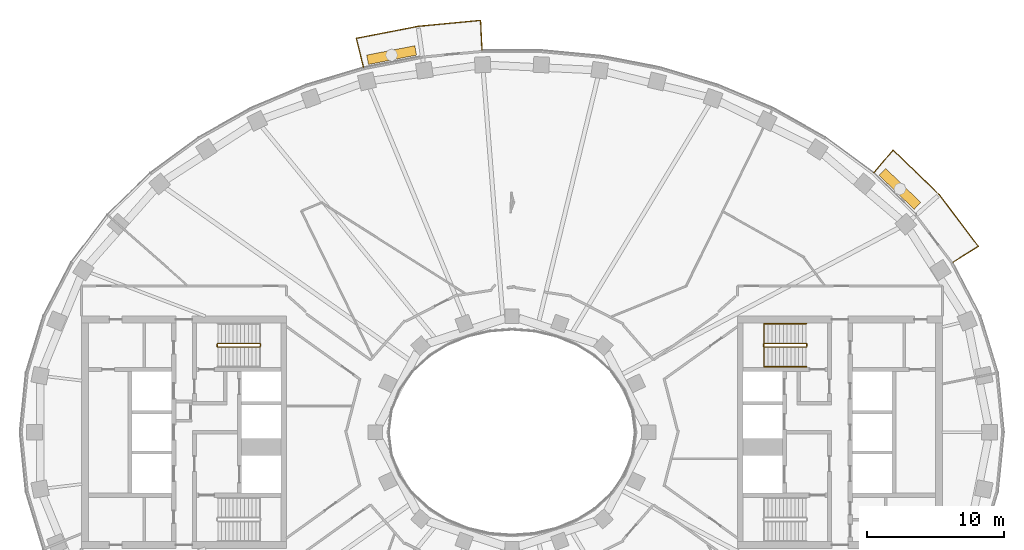
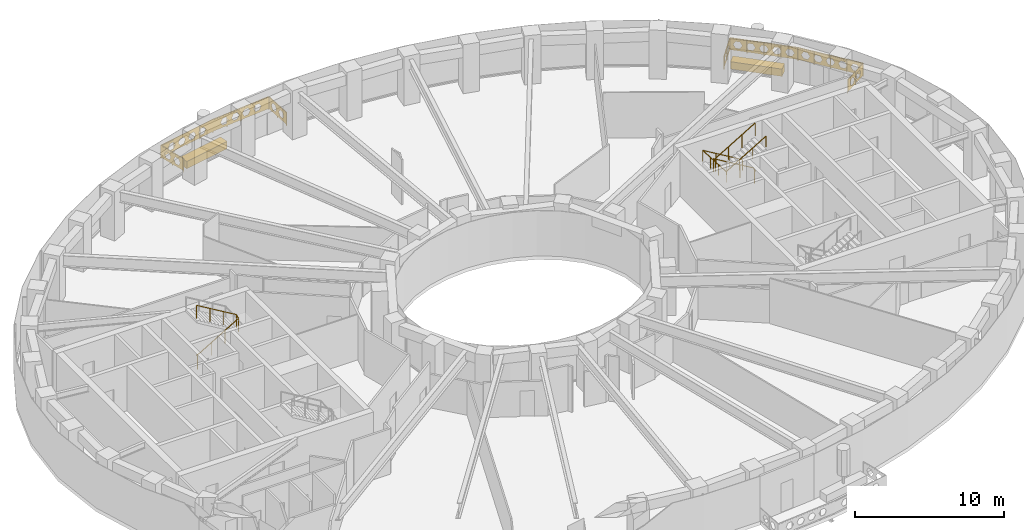
# One storey, part 15 of 16: 5 railings, 2 coverings.
"""IFC4 building model written with IfcOpenShell, lengths in metres."""

from ifc_helpers import new_model, si_unit, direction, frame, origin, origin_2d, place, context, subcontext, project, spatial, polyline, rectangle, outline, extrude, material, type_object, element, save


model = new_model("IFC4")

# Units and contexts
model_context = context("Model", 3, precision=1e-05, world=origin(), true_north=direction((0.0, 1.0)))
body_context = subcontext(model_context, "Body", "Model", "MODEL_VIEW")
ifc_project = project(units=[si_unit("LENGTHUNIT", "METRE"), si_unit("AREAUNIT", "SQUARE_METRE"), si_unit("VOLUMEUNIT", "CUBIC_METRE"), si_unit("PLANEANGLEUNIT", "RADIAN"), si_unit("MASSUNIT", "GRAM", prefix="KILO")], contexts=[model_context])

# Site, building, storey
site_placement = place(None, origin())
site = spatial("IfcSite", under=ifc_project, at=site_placement, CompositionType="ELEMENT")
building_placement = place(site_placement, origin())
building = spatial("IfcBuilding", under=site, at=building_placement, Name="Noorbagh Ring Tower", CompositionType="ELEMENT")
storey_placement = place(building_placement, frame((0.0, 0.0, 186.0)))
storey = spatial("IfcBuildingStorey", under=building, at=storey_placement, Name="L43", CompositionType="ELEMENT", Elevation=186.0)

# Railings
ifc_material_1 = material(Name="Stainless steel", Category="steel")
railing_type_1 = type_object("IfcRailingType", Name="CORE-STAIR-GUARD", PredefinedType="GUARDRAIL", material=ifc_material_1)
railing_1_placement = place(storey_placement, frame((-21.580078125, 6.300048828125, 0.0)))
element("IfcRailing", 1, at=railing_1_placement, inside=storey, type_object=railing_type_1, Name="L43 ST1 stair guard", PredefinedType="GUARDRAIL", context=body_context, shape_type="SweptSolid", body=[
    extrude(rectangle(XDim=0.048095703125, YDim=0.048095703125, at=origin_2d()), frame((0.0, 0.0, 1.076171875), z_axis=(0.0, 1.0, 0.0), x_axis=(-1.0, 0.0, 0.0)), (0.0, 0.0, 1.0), 0.14990234375),
    extrude(rectangle(XDim=0.048095703125, YDim=0.048095703125, at=origin_2d()), frame((0.0, 0.14990234375, 1.076171875), z_axis=(0.188775798145, -0.754182335027, 0.628945707965), x_axis=(0.970072785993, 0.242814311512, 0.0)), (0.0, 0.0, 1.0), 0.26513671875),
    extrude(rectangle(XDim=0.048095703125, YDim=0.048095703125, at=origin_2d()), frame((0.050048828125, -0.050048828125, 1.24267578125), z_axis=(0.859308565015, 0.0, 0.511457515432), x_axis=(0.0, 1.0, 0.0)), (0.0, 0.0, 1.0), 3.58447265625),
    extrude(rectangle(XDim=0.048095703125, YDim=0.048095703125, at=origin_2d()), frame((3.130126953125, -0.050048828125, 3.076171875), z_axis=(0.707106781187, 0.707106781187, 0.0), x_axis=(-0.707106781187, 0.707106781187, 0.0)), (0.0, 0.0, 1.0), 0.07080078125),
    extrude(rectangle(XDim=0.048095703125, YDim=0.048095703125, at=origin_2d()), frame((3.18017578125, 0.0, 3.076171875), z_axis=(0.0, 1.0, 0.0), x_axis=(-1.0, 0.0, 0.0)), (0.0, 0.0, 1.0), 0.14990234375),
    extrude(rectangle(XDim=0.048095703125, YDim=0.048095703125, at=origin_2d()), frame((3.18017578125, 0.14990234375, 3.076171875), z_axis=(-0.27628659633, 0.27628659633, 0.920506074601), x_axis=(-0.707106781187, -0.707106781187, 0.0)), (0.0, 0.0, 1.0), 0.18115234375),
    extrude(rectangle(XDim=0.048095703125, YDim=0.048095703125, at=origin_2d()), frame((3.130126953125, 0.199951171875, 3.24267578125), z_axis=(-0.859308565015, 0.0, 0.511457515432), x_axis=(0.0, -1.0, 0.0)), (0.0, 0.0, 1.0), 3.58447265625),
    extrude(rectangle(XDim=0.0419921875, YDim=0.0419921875, at=origin_2d()), origin(), (0.0, 0.0, 1.0), 1.052001953125),
    extrude(rectangle(XDim=0.0419921875, YDim=0.0419921875, at=origin_2d()), frame((1.07666015625, -0.050048828125, 0.77783203125)), (0.0, 0.0, 1.0), 1.052001953125),
    extrude(rectangle(XDim=0.0419921875, YDim=0.0419921875, at=origin_2d()), frame((2.103515625, -0.050048828125, 1.388916015625)), (0.0, 0.0, 1.0), 1.052001953125),
    extrude(rectangle(XDim=0.0419921875, YDim=0.0419921875, at=origin_2d()), frame((3.130126953125, -0.050048828125, 2.0)), (0.0, 0.0, 1.0), 1.052001953125),
    extrude(rectangle(XDim=0.0419921875, YDim=0.0419921875, at=origin_2d()), frame((3.130126953125, 0.199951171875, 2.166748046875)), (0.0, 0.0, 1.0), 1.052001953125),
    extrude(rectangle(XDim=0.0419921875, YDim=0.0419921875, at=origin_2d()), frame((2.103515625, 0.199951171875, 2.77783203125)), (0.0, 0.0, 1.0), 1.052001953125),
    extrude(rectangle(XDim=0.0419921875, YDim=0.0419921875, at=origin_2d()), frame((1.07666015625, 0.199951171875, 3.388916015625)), (0.0, 0.0, 1.0), 1.052001953125),
    extrude(rectangle(XDim=0.0419921875, YDim=0.0419921875, at=origin_2d()), frame((0.050048828125, 0.199951171875, 4.0)), (0.0, 0.0, 1.0), 1.052001953125),
])
railing_2_placement = place(storey_placement, frame((21.580078125, 6.449951171875, 0.0)))
element("IfcRailing", 2, at=railing_2_placement, inside=storey, type_object=railing_type_1, Name="L43 ST3 stair guard", PredefinedType="GUARDRAIL", context=body_context, shape_type="SweptSolid", body=[
    extrude(rectangle(XDim=0.048095703125, YDim=0.048095703125, at=origin_2d()), frame((0.0, 0.0, 1.076171875), z_axis=(0.0, -1.0, 0.0), x_axis=(1.0, 0.0, 0.0)), (0.0, 0.0, 1.0), 0.14990234375),
    extrude(rectangle(XDim=0.048095703125, YDim=0.048095703125, at=origin_2d()), frame((0.0, -0.14990234375, 1.076171875), z_axis=(-0.188775798145, 0.754182335027, 0.628945707965), x_axis=(-0.970072785993, -0.242814311512, 0.0)), (0.0, 0.0, 1.0), 0.26513671875),
    extrude(rectangle(XDim=0.048095703125, YDim=0.048095703125, at=origin_2d()), frame((-0.050048828125, 0.050048828125, 1.24267578125), z_axis=(-0.859308565015, 0.0, 0.511457515432), x_axis=(0.0, -1.0, 0.0)), (0.0, 0.0, 1.0), 3.58447265625),
    extrude(rectangle(XDim=0.048095703125, YDim=0.048095703125, at=origin_2d()), frame((-3.130126953125, 0.050048828125, 3.076171875), z_axis=(-0.707106781187, -0.707106781187, 0.0), x_axis=(0.707106781187, -0.707106781187, 0.0)), (0.0, 0.0, 1.0), 0.07080078125),
    extrude(rectangle(XDim=0.048095703125, YDim=0.048095703125, at=origin_2d()), frame((-3.18017578125, 0.0, 3.076171875), z_axis=(0.0, -1.0, 0.0), x_axis=(1.0, 0.0, 0.0)), (0.0, 0.0, 1.0), 0.14990234375),
    extrude(rectangle(XDim=0.048095703125, YDim=0.048095703125, at=origin_2d()), frame((-3.18017578125, -0.14990234375, 3.076171875), z_axis=(0.27628659633, -0.27628659633, 0.920506074601), x_axis=(0.707106781187, 0.707106781187, 0.0)), (0.0, 0.0, 1.0), 0.18115234375),
    extrude(rectangle(XDim=0.048095703125, YDim=0.048095703125, at=origin_2d()), frame((-3.130126953125, -0.199951171875, 3.24267578125), z_axis=(0.859308565015, 0.0, 0.511457515432), x_axis=(0.0, 1.0, 0.0)), (0.0, 0.0, 1.0), 3.58447265625),
    extrude(rectangle(XDim=0.0419921875, YDim=0.0419921875, at=origin_2d()), origin(), (0.0, 0.0, 1.0), 1.052001953125),
    extrude(rectangle(XDim=0.0419921875, YDim=0.0419921875, at=origin_2d()), frame((-1.07666015625, 0.050048828125, 0.77783203125)), (0.0, 0.0, 1.0), 1.052001953125),
    extrude(rectangle(XDim=0.0419921875, YDim=0.0419921875, at=origin_2d()), frame((-2.103515625, 0.050048828125, 1.388916015625)), (0.0, 0.0, 1.0), 1.052001953125),
    extrude(rectangle(XDim=0.0419921875, YDim=0.0419921875, at=origin_2d()), frame((-3.130126953125, 0.050048828125, 2.0)), (0.0, 0.0, 1.0), 1.052001953125),
    extrude(rectangle(XDim=0.0419921875, YDim=0.0419921875, at=origin_2d()), frame((-3.130126953125, -0.199951171875, 2.166748046875)), (0.0, 0.0, 1.0), 1.052001953125),
    extrude(rectangle(XDim=0.0419921875, YDim=0.0419921875, at=origin_2d()), frame((-2.103515625, -0.199951171875, 2.77783203125)), (0.0, 0.0, 1.0), 1.052001953125),
    extrude(rectangle(XDim=0.0419921875, YDim=0.0419921875, at=origin_2d()), frame((-1.07666015625, -0.199951171875, 3.388916015625)), (0.0, 0.0, 1.0), 1.052001953125),
    extrude(rectangle(XDim=0.0419921875, YDim=0.0419921875, at=origin_2d()), frame((-0.050048828125, -0.199951171875, 4.0)), (0.0, 0.0, 1.0), 1.052001953125),
])
ifc_material_2 = material(Name="Stainless steel", Category="steel")
railing_type_2 = type_object("IfcRailingType", Name="CORE-STAIR-HANDRAIL", PredefinedType="HANDRAIL", material=ifc_material_2)
railing_3_placement = place(storey_placement, frame((21.530029296875, 7.949951171875, 0.166748046875)))
element("IfcRailing", 3, at=railing_3_placement, inside=storey, type_object=railing_type_2, Name="L43 ST3 stair handrail", PredefinedType="HANDRAIL", context=body_context, shape_type="SweptSolid", body=[
    extrude(rectangle(XDim=0.048095703125, YDim=0.048095703125, at=origin_2d()), frame((0.0, 0.0, 0.8759765625), z_axis=(-0.859308565015, 0.0, 0.511457515432), x_axis=(0.0, -1.0, 0.0)), (0.0, 0.0, 1.0), 3.58447265625),
    extrude(rectangle(XDim=0.048095703125, YDim=0.048095703125, at=origin_2d()), frame((-3.080078125, 0.0, 2.708984375), z_axis=(0.0, -0.998601747152, 0.052863509014), x_axis=(1.0, 0.0, 0.0)), (0.0, 0.0, 1.0), 3.154296875),
    extrude(rectangle(XDim=0.048095703125, YDim=0.048095703125, at=origin_2d()), frame((-3.080078125, -3.14990234375, 2.8759765625), z_axis=(0.859308565015, 0.0, 0.511457515432), x_axis=(0.0, 1.0, 0.0)), (0.0, 0.0, 1.0), 3.58447265625),
    extrude(rectangle(XDim=0.0419921875, YDim=0.0419921875, at=origin_2d()), origin(), (0.0, 0.0, 1.0), 0.851806640625),
    extrude(rectangle(XDim=0.0419921875, YDim=0.0419921875, at=origin_2d()), frame((-1.026611328125, 0.0, 0.611083984375)), (0.0, 0.0, 1.0), 0.851806640625),
    extrude(rectangle(XDim=0.0419921875, YDim=0.0419921875, at=origin_2d()), frame((-2.053466796875, 0.0, 1.22216796875)), (0.0, 0.0, 1.0), 0.851806640625),
    extrude(rectangle(XDim=0.0419921875, YDim=0.0419921875, at=origin_2d()), frame((-3.080078125, 0.0, 1.833251953125)), (0.0, 0.0, 1.0), 0.851806640625),
    extrude(rectangle(XDim=0.0419921875, YDim=0.0419921875, at=origin_2d()), frame((-3.080078125, -1.050048828125, 1.888916015625)), (0.0, 0.0, 1.0), 0.851806640625),
    extrude(rectangle(XDim=0.0419921875, YDim=0.0419921875, at=origin_2d()), frame((-3.080078125, -2.099853515625, 1.9443359375)), (0.0, 0.0, 1.0), 0.851806640625),
    extrude(rectangle(XDim=0.0419921875, YDim=0.0419921875, at=origin_2d()), frame((-3.080078125, -3.14990234375, 2.0)), (0.0, 0.0, 1.0), 0.851806640625),
    extrude(rectangle(XDim=0.0419921875, YDim=0.0419921875, at=origin_2d()), frame((-2.053466796875, -3.14990234375, 2.611083984375)), (0.0, 0.0, 1.0), 0.851806640625),
    extrude(rectangle(XDim=0.0419921875, YDim=0.0419921875, at=origin_2d()), frame((-1.026611328125, -3.14990234375, 3.22216796875)), (0.0, 0.0, 1.0), 0.851806640625),
    extrude(rectangle(XDim=0.0419921875, YDim=0.0419921875, at=origin_2d()), frame((0.0, -3.14990234375, 3.833251953125)), (0.0, 0.0, 1.0), 0.851806640625),
])
ifc_material_3 = material(Name="Steel S275 black powder-coated", Category="steel")
railing_type_3 = type_object("IfcRailingType", Name="ENV-GUARD", PredefinedType="GUARDRAIL", material=ifc_material_3)
railing_4_placement = place(storey_placement, frame((32.255126953125, 12.434814453125, 0.0)))
element("IfcRailing", 4, at=railing_4_placement, inside=storey, type_object=railing_type_3, Name="Balcony guard BN01", PredefinedType="GUARDRAIL", context=body_context, shape_type="SweptSolid", body=[
    extrude(rectangle(XDim=0.048095703125, YDim=0.048095703125, at=origin_2d()), frame((0.0, 0.0, 1.076171875), z_axis=(0.844852397829, 0.534999463442, 0.0), x_axis=(-0.534999463442, 0.844852397829, 0.0)), (0.0, 0.0, 1.0), 2.207763671875),
    extrude(rectangle(XDim=0.048095703125, YDim=0.048095703125, at=origin_2d()), frame((1.865234375, 1.18115234375, 1.076171875), z_axis=(-0.604001613322, 0.796983093362, 0.0), x_axis=(-0.796983093362, -0.604001613322, 0.0)), (0.0, 0.0, 1.0), 4.7353515625),
    extrude(rectangle(XDim=0.048095703125, YDim=0.048095703125, at=origin_2d()), frame((-0.994873046875, 4.955078125, 1.076171875), z_axis=(-0.717212632946, 0.696854388766, 0.0), x_axis=(-0.696854388766, -0.717212632946, 0.0)), (0.0, 0.0, 1.0), 4.700927734375),
    extrude(rectangle(XDim=0.048095703125, YDim=0.048095703125, at=origin_2d()), frame((-4.366455078125, 8.23095703125, 1.076171875), z_axis=(-0.646413574048, -0.762987215677, 0.0), x_axis=(0.762987215677, -0.646413574048, 0.0)), (0.0, 0.0, 1.0), 2.205322265625),
    extrude(rectangle(XDim=0.0419921875, YDim=0.0419921875, at=origin_2d()), origin(), (0.0, 0.0, 1.0), 1.052001953125),
    extrude(rectangle(XDim=0.0419921875, YDim=0.0419921875, at=origin_2d()), frame((0.9326171875, 0.590576171875, 0.0)), (0.0, 0.0, 1.0), 1.052001953125),
    extrude(rectangle(XDim=0.0419921875, YDim=0.0419921875, at=origin_2d()), frame((1.865234375, 1.18115234375, 0.0)), (0.0, 0.0, 1.0), 1.052001953125),
    extrude(rectangle(XDim=0.0419921875, YDim=0.0419921875, at=origin_2d()), frame((1.150146484375, 2.12451171875, 0.0)), (0.0, 0.0, 1.0), 1.052001953125),
    extrude(rectangle(XDim=0.0419921875, YDim=0.0419921875, at=origin_2d()), frame((0.43505859375, 3.068115234375, 0.0)), (0.0, 0.0, 1.0), 1.052001953125),
    extrude(rectangle(XDim=0.0419921875, YDim=0.0419921875, at=origin_2d()), frame((-0.27978515625, 4.01171875, 0.0)), (0.0, 0.0, 1.0), 1.052001953125),
    extrude(rectangle(XDim=0.0419921875, YDim=0.0419921875, at=origin_2d()), frame((-0.994873046875, 4.955078125, 0.0)), (0.0, 0.0, 1.0), 1.052001953125),
    extrude(rectangle(XDim=0.0419921875, YDim=0.0419921875, at=origin_2d()), frame((-1.837890625, 5.77392578125, 0.0)), (0.0, 0.0, 1.0), 1.052001953125),
    extrude(rectangle(XDim=0.0419921875, YDim=0.0419921875, at=origin_2d()), frame((-2.6806640625, 6.593017578125, 0.0)), (0.0, 0.0, 1.0), 1.052001953125),
    extrude(rectangle(XDim=0.0419921875, YDim=0.0419921875, at=origin_2d()), frame((-3.5234375, 7.412109375, 0.0)), (0.0, 0.0, 1.0), 1.052001953125),
    extrude(rectangle(XDim=0.0419921875, YDim=0.0419921875, at=origin_2d()), frame((-4.366455078125, 8.23095703125, 0.0)), (0.0, 0.0, 1.0), 1.052001953125),
    extrude(rectangle(XDim=0.0419921875, YDim=0.0419921875, at=origin_2d()), frame((-5.0791015625, 7.3896484375, 0.0)), (0.0, 0.0, 1.0), 1.052001953125),
    extrude(rectangle(XDim=0.0419921875, YDim=0.0419921875, at=origin_2d()), frame((-5.7919921875, 6.54833984375, 0.0)), (0.0, 0.0, 1.0), 1.052001953125),
    extrude(outline(polyline([(0.0, 0.10009765625), (2.207763671875, 0.10009765625), (2.207763671875, 1.031982421875), (0.0, 1.031982421875), (0.0, 0.10009765625)]), holes=[polyline([(0.9638671875, 0.56591796875), (0.808837890625, 0.83447265625), (0.498779296875, 0.83447265625), (0.343994140625, 0.56591796875), (0.498779296875, 0.297607421875), (0.808837890625, 0.297607421875), (0.9638671875, 0.56591796875)]), polyline([(1.86376953125, 0.56591796875), (1.708984375, 0.83447265625), (1.39892578125, 0.83447265625), (1.243896484375, 0.56591796875), (1.39892578125, 0.297607421875), (1.708984375, 0.297607421875), (1.86376953125, 0.56591796875)])]), frame((-0.00537109375, 0.008544921875, 0.0), z_axis=(0.534999463442, -0.844852397829, 0.0), x_axis=(0.844852397829, 0.534999463442, 0.0)), (0.0, 0.0, 1.0), 0.02001953125),
    extrude(outline(polyline([(0.0, 0.10009765625), (4.7353515625, 0.10009765625), (4.7353515625, 1.031982421875), (0.0, 1.031982421875), (0.0, 0.10009765625)]), holes=[polyline([(0.877685546875, 0.56591796875), (0.72265625, 0.83447265625), (0.41259765625, 0.83447265625), (0.257568359375, 0.56591796875), (0.41259765625, 0.297607421875), (0.72265625, 0.297607421875), (0.877685546875, 0.56591796875)]), polyline([(1.777587890625, 0.56591796875), (1.62255859375, 0.83447265625), (1.312744140625, 0.83447265625), (1.15771484375, 0.56591796875), (1.312744140625, 0.297607421875), (1.62255859375, 0.297607421875), (1.777587890625, 0.56591796875)]), polyline([(2.677734375, 0.56591796875), (2.522705078125, 0.83447265625), (2.212646484375, 0.83447265625), (2.0576171875, 0.56591796875), (2.212646484375, 0.297607421875), (2.522705078125, 0.297607421875), (2.677734375, 0.56591796875)]), polyline([(3.57763671875, 0.56591796875), (3.422607421875, 0.83447265625), (3.112548828125, 0.83447265625), (2.95751953125, 0.56591796875), (3.112548828125, 0.297607421875), (3.422607421875, 0.297607421875), (3.57763671875, 0.56591796875)]), polyline([(4.4775390625, 0.56591796875), (4.32275390625, 0.83447265625), (4.0126953125, 0.83447265625), (3.857666015625, 0.56591796875), (4.0126953125, 0.297607421875), (4.32275390625, 0.297607421875), (4.4775390625, 0.56591796875)])]), frame((1.857177734375, 1.175048828125, 0.0), z_axis=(0.796983093362, 0.604001613322, 0.0), x_axis=(-0.604001613322, 0.796983093362, 0.0)), (0.0, 0.0, 1.0), 0.02001953125),
    extrude(outline(polyline([(0.0, 0.10009765625), (4.700927734375, 0.10009765625), (4.700927734375, 1.031982421875), (0.0, 1.031982421875), (0.0, 0.10009765625)]), holes=[polyline([(0.860595703125, 0.56591796875), (0.70556640625, 0.83447265625), (0.3955078125, 0.83447265625), (0.240478515625, 0.56591796875), (0.3955078125, 0.297607421875), (0.70556640625, 0.297607421875), (0.860595703125, 0.56591796875)]), polyline([(1.760498046875, 0.56591796875), (1.60546875, 0.83447265625), (1.29541015625, 0.83447265625), (1.140380859375, 0.56591796875), (1.29541015625, 0.297607421875), (1.60546875, 0.297607421875), (1.760498046875, 0.56591796875)]), polyline([(2.660400390625, 0.56591796875), (2.50537109375, 0.83447265625), (2.195556640625, 0.83447265625), (2.04052734375, 0.56591796875), (2.195556640625, 0.297607421875), (2.50537109375, 0.297607421875), (2.660400390625, 0.56591796875)]), polyline([(3.560546875, 0.56591796875), (3.405517578125, 0.83447265625), (3.095458984375, 0.83447265625), (2.9404296875, 0.56591796875), (3.095458984375, 0.297607421875), (3.405517578125, 0.297607421875), (3.560546875, 0.56591796875)]), polyline([(4.46044921875, 0.56591796875), (4.305419921875, 0.83447265625), (3.995361328125, 0.83447265625), (3.840576171875, 0.56591796875), (3.995361328125, 0.297607421875), (4.305419921875, 0.297607421875), (4.46044921875, 0.56591796875)])]), frame((-1.001953125, 4.947998046875, 0.0), z_axis=(0.696854388766, 0.717212632946, 0.0), x_axis=(-0.717212632946, 0.696854388766, 0.0)), (0.0, 0.0, 1.0), 0.02001953125),
    extrude(outline(polyline([(0.0, 0.10009765625), (2.205322265625, 0.10009765625), (2.205322265625, 1.031982421875), (0.0, 1.031982421875), (0.0, 0.10009765625)]), holes=[polyline([(0.962646484375, 0.56591796875), (0.8076171875, 0.83447265625), (0.49755859375, 0.83447265625), (0.342529296875, 0.56591796875), (0.49755859375, 0.297607421875), (0.8076171875, 0.297607421875), (0.962646484375, 0.56591796875)]), polyline([(1.862548828125, 0.56591796875), (1.707763671875, 0.83447265625), (1.397705078125, 0.83447265625), (1.24267578125, 0.56591796875), (1.397705078125, 0.297607421875), (1.707763671875, 0.297607421875), (1.862548828125, 0.56591796875)])]), frame((-4.35888671875, 8.224609375, 0.0), z_axis=(-0.762987215677, 0.646413574048, 0.0), x_axis=(-0.646413574048, -0.762987215677, 0.0)), (0.0, 0.0, 1.0), 0.02001953125),
])
railing_5_placement = place(storey_placement, frame((-2.193115234375, 27.947998046875, 0.0)))
element("IfcRailing", 5, at=railing_5_placement, inside=storey, type_object=railing_type_3, Name="Balcony guard BN04", PredefinedType="GUARDRAIL", context=body_context, shape_type="SweptSolid", body=[
    extrude(rectangle(XDim=0.048095703125, YDim=0.048095703125, at=origin_2d()), frame((0.0, 0.0, 1.076171875), z_axis=(-0.047554616162, 0.998868639252, 0.0), x_axis=(-0.998868639252, -0.047554616162, 0.0)), (0.0, 0.0, 1.0), 2.202392578125),
    extrude(rectangle(XDim=0.048095703125, YDim=0.048095703125, at=origin_2d()), frame((-0.104736328125, 2.199951171875, 1.076171875), z_axis=(-0.995477555764, -0.094997031379, 0.0), x_axis=(0.094997031379, -0.995477555764, 0.0)), (0.0, 0.0, 1.0), 4.59765625),
    extrude(rectangle(XDim=0.048095703125, YDim=0.048095703125, at=origin_2d()), frame((-4.681640625, 1.76318359375, 1.076171875), z_axis=(-0.981625049064, -0.1908199755, 0.0), x_axis=(0.1908199755, -0.981625049064, 0.0)), (0.0, 0.0, 1.0), 4.603271484375),
    extrude(rectangle(XDim=0.048095703125, YDim=0.048095703125, at=origin_2d()), frame((-9.200439453125, 0.884765625, 1.076171875), z_axis=(0.239848558412, -0.970810315679, 0.0), x_axis=(0.970810315679, 0.239848558412, 0.0)), (0.0, 0.0, 1.0), 2.20263671875),
    extrude(rectangle(XDim=0.0419921875, YDim=0.0419921875, at=origin_2d()), origin(), (0.0, 0.0, 1.0), 1.052001953125),
    extrude(rectangle(XDim=0.0419921875, YDim=0.0419921875, at=origin_2d()), frame((-0.05224609375, 1.10009765625, 0.0)), (0.0, 0.0, 1.0), 1.052001953125),
    extrude(rectangle(XDim=0.0419921875, YDim=0.0419921875, at=origin_2d()), frame((-0.104736328125, 2.199951171875, 0.0)), (0.0, 0.0, 1.0), 1.052001953125),
    extrude(rectangle(XDim=0.0419921875, YDim=0.0419921875, at=origin_2d()), frame((-1.2490234375, 2.0908203125, 0.0)), (0.0, 0.0, 1.0), 1.052001953125),
    extrude(rectangle(XDim=0.0419921875, YDim=0.0419921875, at=origin_2d()), frame((-2.39306640625, 1.9814453125, 0.0)), (0.0, 0.0, 1.0), 1.052001953125),
    extrude(rectangle(XDim=0.0419921875, YDim=0.0419921875, at=origin_2d()), frame((-3.537353515625, 1.872314453125, 0.0)), (0.0, 0.0, 1.0), 1.052001953125),
    extrude(rectangle(XDim=0.0419921875, YDim=0.0419921875, at=origin_2d()), frame((-4.681640625, 1.76318359375, 0.0)), (0.0, 0.0, 1.0), 1.052001953125),
    extrude(rectangle(XDim=0.0419921875, YDim=0.0419921875, at=origin_2d()), frame((-5.811279296875, 1.54345703125, 0.0)), (0.0, 0.0, 1.0), 1.052001953125),
    extrude(rectangle(XDim=0.0419921875, YDim=0.0419921875, at=origin_2d()), frame((-6.94091796875, 1.323974609375, 0.0)), (0.0, 0.0, 1.0), 1.052001953125),
    extrude(rectangle(XDim=0.0419921875, YDim=0.0419921875, at=origin_2d()), frame((-8.07080078125, 1.1044921875, 0.0)), (0.0, 0.0, 1.0), 1.052001953125),
    extrude(rectangle(XDim=0.0419921875, YDim=0.0419921875, at=origin_2d()), frame((-9.200439453125, 0.884765625, 0.0)), (0.0, 0.0, 1.0), 1.052001953125),
    extrude(rectangle(XDim=0.0419921875, YDim=0.0419921875, at=origin_2d()), frame((-8.936279296875, -0.1845703125, 0.0)), (0.0, 0.0, 1.0), 1.052001953125),
    extrude(rectangle(XDim=0.0419921875, YDim=0.0419921875, at=origin_2d()), frame((-8.672119140625, -1.253662109375, 0.0)), (0.0, 0.0, 1.0), 1.052001953125),
    extrude(outline(polyline([(0.0, 0.10009765625), (2.202392578125, 0.10009765625), (2.202392578125, 1.031982421875), (0.0, 1.031982421875), (0.0, 0.10009765625)]), holes=[polyline([(0.961181640625, 0.56591796875), (0.80615234375, 0.83447265625), (0.496337890625, 0.83447265625), (0.34130859375, 0.56591796875), (0.496337890625, 0.297607421875), (0.80615234375, 0.297607421875), (0.961181640625, 0.56591796875)]), polyline([(1.861328125, 0.56591796875), (1.706298828125, 0.83447265625), (1.396240234375, 0.83447265625), (1.2412109375, 0.56591796875), (1.396240234375, 0.297607421875), (1.706298828125, 0.297607421875), (1.861328125, 0.56591796875)])]), frame((-0.010009765625, -0.00048828125, 0.0), z_axis=(0.998868639252, 0.047554616162, 0.0), x_axis=(-0.047554616162, 0.998868639252, 0.0)), (0.0, 0.0, 1.0), 0.02001953125),
    extrude(outline(polyline([(0.0, 0.10009765625), (4.59765625, 0.10009765625), (4.59765625, 1.031982421875), (0.0, 1.031982421875), (0.0, 0.10009765625)]), holes=[polyline([(1.2587890625, 0.56591796875), (1.103759765625, 0.83447265625), (0.7939453125, 0.83447265625), (0.638916015625, 0.56591796875), (0.7939453125, 0.297607421875), (1.103759765625, 0.297607421875), (1.2587890625, 0.56591796875)]), polyline([(2.158935546875, 0.56591796875), (2.00390625, 0.83447265625), (1.69384765625, 0.83447265625), (1.538818359375, 0.56591796875), (1.69384765625, 0.297607421875), (2.00390625, 0.297607421875), (2.158935546875, 0.56591796875)]), polyline([(3.058837890625, 0.56591796875), (2.90380859375, 0.83447265625), (2.59375, 0.83447265625), (2.43896484375, 0.56591796875), (2.59375, 0.297607421875), (2.90380859375, 0.297607421875), (3.058837890625, 0.56591796875)]), polyline([(3.958740234375, 0.56591796875), (3.803955078125, 0.83447265625), (3.493896484375, 0.83447265625), (3.3388671875, 0.56591796875), (3.493896484375, 0.297607421875), (3.803955078125, 0.297607421875), (3.958740234375, 0.56591796875)])]), frame((-0.103759765625, 2.18994140625, 0.0), z_axis=(-0.094997031379, 0.995477555764, 0.0), x_axis=(-0.995477555764, -0.094997031379, 0.0)), (0.0, 0.0, 1.0), 0.02001953125),
    extrude(outline(polyline([(0.0, 0.10009765625), (4.603271484375, 0.10009765625), (4.603271484375, 1.031982421875), (0.0, 1.031982421875), (0.0, 0.10009765625)]), holes=[polyline([(1.26171875, 0.56591796875), (1.106689453125, 0.83447265625), (0.796630859375, 0.83447265625), (0.6416015625, 0.56591796875), (0.796630859375, 0.297607421875), (1.106689453125, 0.297607421875), (1.26171875, 0.56591796875)]), polyline([(2.16162109375, 0.56591796875), (2.006591796875, 0.83447265625), (1.69677734375, 0.83447265625), (1.541748046875, 0.56591796875), (1.69677734375, 0.297607421875), (2.006591796875, 0.297607421875), (2.16162109375, 0.56591796875)]), polyline([(3.061767578125, 0.56591796875), (2.90673828125, 0.83447265625), (2.5966796875, 0.83447265625), (2.441650390625, 0.56591796875), (2.5966796875, 0.297607421875), (2.90673828125, 0.297607421875), (3.061767578125, 0.56591796875)]), polyline([(3.961669921875, 0.56591796875), (3.806640625, 0.83447265625), (3.49658203125, 0.83447265625), (3.341796875, 0.56591796875), (3.49658203125, 0.297607421875), (3.806640625, 0.297607421875), (3.961669921875, 0.56591796875)])]), frame((-4.6796875, 1.75341796875, 0.0), z_axis=(-0.1908199755, 0.981625049064, 0.0), x_axis=(-0.981625049064, -0.1908199755, 0.0)), (0.0, 0.0, 1.0), 0.02001953125),
    extrude(outline(polyline([(0.0, 0.10009765625), (2.20263671875, 0.10009765625), (2.20263671875, 1.031982421875), (0.0, 1.031982421875), (0.0, 0.10009765625)]), holes=[polyline([(0.96142578125, 0.56591796875), (0.806396484375, 0.83447265625), (0.496337890625, 0.83447265625), (0.34130859375, 0.56591796875), (0.496337890625, 0.297607421875), (0.806396484375, 0.297607421875), (0.96142578125, 0.56591796875)]), polyline([(1.861328125, 0.56591796875), (1.706298828125, 0.83447265625), (1.396240234375, 0.83447265625), (1.241455078125, 0.56591796875), (1.396240234375, 0.297607421875), (1.706298828125, 0.297607421875), (1.861328125, 0.56591796875)])]), frame((-9.190673828125, 0.88720703125, 0.0), z_axis=(-0.970810315679, -0.239848558412, 0.0), x_axis=(0.239848558412, -0.970810315679, 0.0)), (0.0, 0.0, 1.0), 0.02001953125),
])

# Coverings
ifc_material_4 = material(Name="Concrete C30/37 planter with soil", Category="concrete")
covering_type = type_object("IfcCoveringType", Name="ENV-PLANTER", PredefinedType="CLADDING", material=ifc_material_4)
covering_1_placement = place(storey_placement, frame((28.3837890625, 17.814208984375, 0.0), z_axis=(0.0, 0.0, 1.0), x_axis=(-0.717224548362, 0.696842125038, 0.0)))
element("IfcCovering", 6, at=covering_1_placement, inside=storey, type_object=covering_type, Name="PLANTER BN01", ObjectType="PLANTER", PredefinedType="CLADDING", context=body_context, shape_type="SweptSolid", body=[
    extrude(rectangle(XDim=3.584228515625, YDim=0.699951171875, at=origin_2d()), origin(), (0.0, 0.0, 1.0), 0.60009765625),
])
covering_2_placement = place(storey_placement, frame((-8.807861328125, 27.603515625, 0.0), z_axis=(0.0, 0.0, 1.0), x_axis=(-0.981624952922, -0.190820470077, 0.0)))
element("IfcCovering", 7, at=covering_2_placement, inside=storey, type_object=covering_type, Name="PLANTER BN04", ObjectType="PLANTER", PredefinedType="CLADDING", context=body_context, shape_type="SweptSolid", body=[
    extrude(rectangle(XDim=3.586181640625, YDim=0.699951171875, at=origin_2d()), origin(), (0.0, 0.0, 1.0), 0.60009765625),
])

save(model, "model.ifc")
